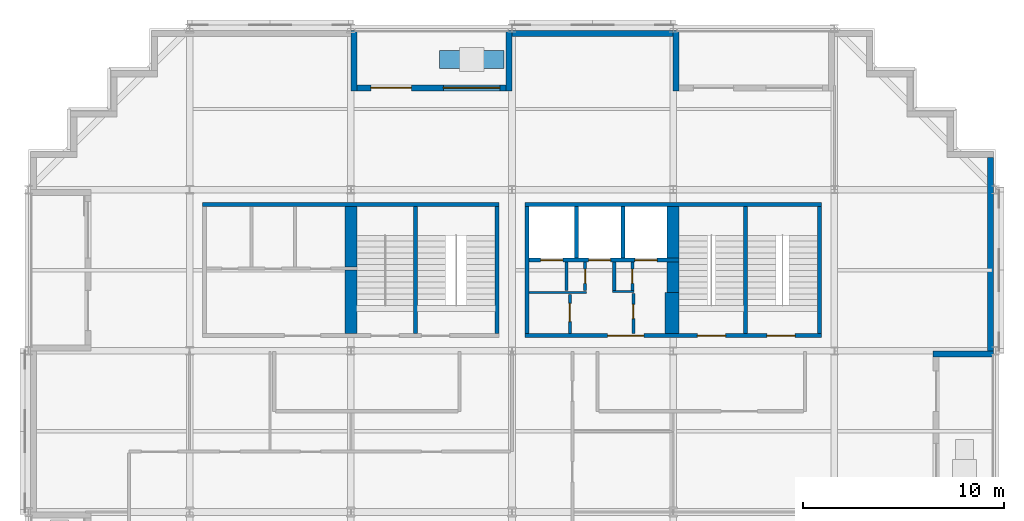
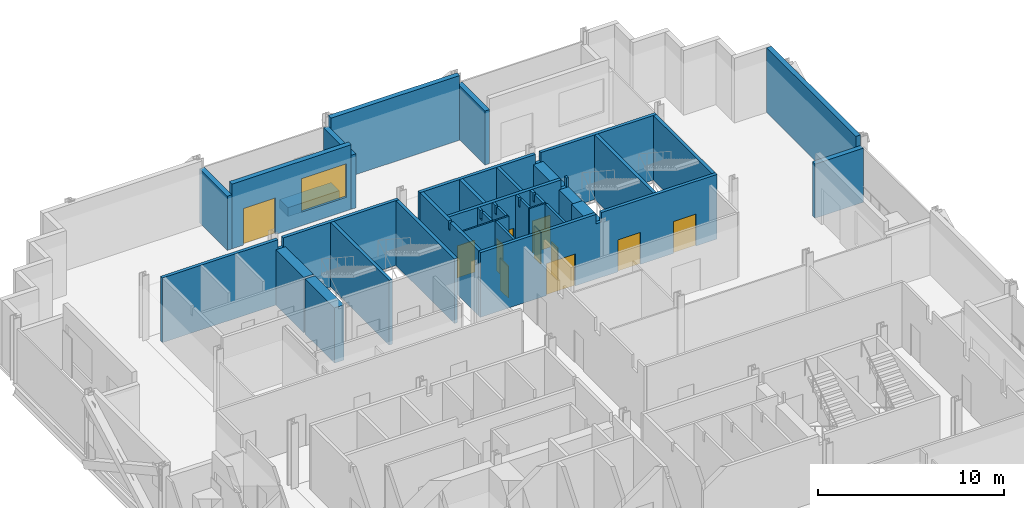
# One storey, part 9 of 14: 32 walls, 11 doors, 1 window, 12 openings.
"""IFC4 building model written with IfcOpenShell, lengths in metres."""

from ifc_helpers import new_model, si_unit, direction, frame, frame_2d, origin, place, context, subcontext, project, spatial, polyline, rectangle, outline, extrude, material, layer, layer_set, type_object, element, fill, save


model = new_model("IFC4")

# Units and contexts
model_context = context("Model", 3, precision=1e-05, world=origin(), true_north=direction((0.0, 1.0)))
body_context = subcontext(model_context, "Body", "Model", "MODEL_VIEW")
ifc_project = project(units=[si_unit("LENGTHUNIT", "METRE"), si_unit("AREAUNIT", "SQUARE_METRE"), si_unit("VOLUMEUNIT", "CUBIC_METRE"), si_unit("PLANEANGLEUNIT", "RADIAN"), si_unit("MASSUNIT", "GRAM", prefix="KILO")], contexts=[model_context])

# Site, building, storey
site_placement = place(None, origin())
site = spatial("IfcSite", under=ifc_project, at=site_placement, CompositionType="ELEMENT")
building_placement = place(site_placement, origin())
building = spatial("IfcBuilding", under=site, at=building_placement, Name="Immortelle Media Tower", CompositionType="ELEMENT")
storey_placement = place(building_placement, frame((0.0, 0.0, 48.0)))
storey = spatial("IfcBuildingStorey", under=building, at=storey_placement, Name="L07", CompositionType="ELEMENT", Elevation=48.0)

# Walls
ifc_material_1 = material(Name="Fire-rated gypsum board", Category="gypsum")
ifc_layer_1 = layer(ifc_material_1, 0.02490234375)
ifc_material_2 = material(Name="Steel ASTM A653 SS Gr 50 stud frame with mineral wool", Category="steel")
ifc_layer_2 = layer(ifc_material_2, 0.050048828125)
ifc_layer_3 = layer(ifc_material_1, 0.02490234375)
ifc_layer_set_1 = layer_set([ifc_layer_1, ifc_layer_2, ifc_layer_3], Name="Steel ASTM A653 SS Gr 50 stud frame with mineral wool")
wall_type_1 = type_object("IfcWallType", Name="Core partition 100", PredefinedType="PARTITIONING", material=ifc_layer_set_1)
wall_1_placement = place(storey_placement, frame((24.85009765625, 34.89990234375, 0.0), z_axis=(0.0, 0.0, 1.0), x_axis=(1.0, 0.0, 0.0)))
element("IfcWall", 1, at=wall_1_placement, inside=storey, type_object=wall_type_1, Name="Core partition NE", PredefinedType="PARTITIONING", context=body_context, shape_type="SweptSolid", body=[
    extrude(rectangle(XDim=2.849853515625, YDim=0.10009765625, at=frame_2d((1.4248046875, 0.0))), origin(), (0.0, 0.0, 1.0), 4.25),
])
wall_2_placement = place(storey_placement, frame((29.0, 34.949951171875, 0.0), z_axis=(0.0, 0.0, 1.0), x_axis=(1.0, 0.0, 0.0)))
element("IfcWall", 2, at=wall_2_placement, inside=storey, type_object=wall_type_1, Name="Core partition NE", PredefinedType="PARTITIONING", context=body_context, shape_type="SweptSolid", body=[
    extrude(rectangle(XDim=1.050048828125, YDim=0.10009765625, at=frame_2d((0.52490234375, 0.0))), origin(), (0.0, 0.0, 1.0), 4.25),
])
ifc_layer_4 = layer(ifc_material_1, 0.02490234375)
ifc_layer_5 = layer(ifc_material_2, 0.10009765625)
ifc_layer_6 = layer(ifc_material_1, 0.02490234375)
ifc_layer_set_2 = layer_set([ifc_layer_4, ifc_layer_5, ifc_layer_6], Name="Steel ASTM A653 SS Gr 50 stud frame with mineral wool")
wall_type_2 = type_object("IfcWallType", Name="Core partition 150", PredefinedType="PARTITIONING", material=ifc_layer_set_2)
wall_3_placement = place(storey_placement, frame((26.699951171875, 35.0, 0.0), z_axis=(0.0, 0.0, 1.0), x_axis=(0.0, 1.0, 0.0)))
element("IfcWall", 3, at=wall_3_placement, inside=storey, type_object=wall_type_2, Name="Core partition NE", PredefinedType="PARTITIONING", context=body_context, shape_type="SweptSolid", body=[
    extrude(outline(polyline([(0.0, 0.0), (1.39990234375, 0.0), (1.39990234375, 4.25), (1.08837890625, 4.25), (1.08740234375, 3.7080078125), (0.91259765625, 3.7080078125), (0.91162109375, 4.25), (0.0, 4.25), (0.0, 0.0)])), frame((0.0, 0.074951171875, 0.0), z_axis=(0.0, -1.0, 0.0), x_axis=(1.0, 0.0, 0.0)), (0.0, 0.0, 1.0), 0.14990234375),
])

# Wall, opening, door
wall_4_placement = place(storey_placement, frame((26.875, 32.85009765625, 0.0), z_axis=(0.0, 0.0, 1.0), x_axis=(0.0, 1.0, 0.0)))
wall_4 = element("IfcWall", 4, at=wall_4_placement, inside=storey, type_object=wall_type_2, Name="Core partition NE", PredefinedType="PARTITIONING", context=body_context, shape_type="SweptSolid", body=[
    extrude(rectangle(XDim=1.949951171875, YDim=0.14990234375, at=frame_2d((0.97509765625, 0.0))), origin(), (0.0, 0.0, 1.0), 4.25),
])
opening_1_placement = place(wall_4_placement, frame((0.60009765625, 0.0, 0.0)))
opening_1 = element("IfcOpeningElement", 5, at=opening_1_placement, cuts=wall_4, Name="Opening N2-K031", PredefinedType="OPENING", context=body_context, shape_type="SweptSolid", body=[
    extrude(rectangle(XDim=0.89990234375, YDim=2.10009765625, at=frame_2d((0.449951171875, 1.050048828125))), frame((0.0, 0.0849609375, 0.0), z_axis=(0.0, -1.0, 0.0), x_axis=(1.0, 0.0, 0.0)), (0.0, 0.0, 1.0), 0.169921875),
])
ifc_material_3 = material(Name="Galvanised steel door leaf and frame ASTM A653", Category="steel")
door_type_1 = type_object("IfcDoorType", Name="Service door 900 x 2100", OperationType="NOTDEFINED", PredefinedType="NOTDEFINED", material=ifc_material_3)
door_1_placement = place(opening_1_placement, origin())
door_1 = element("IfcDoor", 6, at=door_1_placement, inside=storey, type_object=door_type_1, Name="Service N2-K031", OperationType="SINGLE_SWING_RIGHT", OverallHeight=2.10009765625, OverallWidth=0.89990234375, PredefinedType="NOTDEFINED", context=body_context, shape_type="SweptSolid", body=[
    extrude(rectangle(XDim=0.89990234375, YDim=2.10009765625, at=frame_2d((0.449951171875, 1.050048828125))), frame((0.0, 0.02490234375, 0.0), z_axis=(0.0, -1.0, 0.0), x_axis=(1.0, 0.0, 0.0)), (0.0, 0.0, 1.0), 0.050048828125),
])
fill(opening_1, door_1)

wall_5_placement = place(storey_placement, frame((27.625, 35.0, 0.0), z_axis=(0.0, 0.0, 1.0), x_axis=(0.0, 1.0, 0.0)))
wall_5 = element("IfcWall", 7, at=wall_5_placement, inside=storey, type_object=wall_type_2, Name="Core partition NE", PredefinedType="PARTITIONING", context=body_context, shape_type="SweptSolid", body=[
    extrude(outline(polyline([(0.0, 0.0), (1.39990234375, 0.0), (1.39990234375, 4.25), (1.08837890625, 4.25), (1.08740234375, 3.7080078125), (0.91259765625, 3.7080078125), (0.91162109375, 4.25), (0.0, 4.25), (0.0, 0.0)])), frame((0.0, 0.074951171875, 0.0), z_axis=(0.0, -1.0, 0.0), x_axis=(1.0, 0.0, 0.0)), (0.0, 0.0, 1.0), 0.14990234375),
])
opening_2_placement = place(wall_5_placement, frame((0.35009765625, 0.0, 0.0)))
opening_2 = element("IfcOpeningElement", 8, at=opening_2_placement, cuts=wall_5, Name="Opening N2-K032", PredefinedType="OPENING", context=body_context, shape_type="SweptSolid", body=[
    extrude(rectangle(XDim=0.699951171875, YDim=2.10009765625, at=frame_2d((0.35009765625, 1.050048828125))), frame((0.0, 0.0849609375, 0.0), z_axis=(0.0, -1.0, 0.0), x_axis=(1.0, 0.0, 0.0)), (0.0, 0.0, 1.0), 0.169921875),
])
door_type_2 = type_object("IfcDoorType", Name="Service door 700 x 2100", OperationType="NOTDEFINED", PredefinedType="NOTDEFINED", material=ifc_material_3)
door_2_placement = place(opening_2_placement, origin())
door_2 = element("IfcDoor", 9, at=door_2_placement, inside=storey, type_object=door_type_2, Name="Service N2-K032", OperationType="SINGLE_SWING_RIGHT", OverallHeight=2.10009765625, OverallWidth=0.699951171875, PredefinedType="NOTDEFINED", context=body_context, shape_type="SweptSolid", body=[
    extrude(rectangle(XDim=0.699951171875, YDim=2.10009765625, at=frame_2d((0.35009765625, 1.050048828125))), frame((0.0, 0.02490234375, 0.0), z_axis=(0.0, -1.0, 0.0), x_axis=(1.0, 0.0, 0.0)), (0.0, 0.0, 1.0), 0.050048828125),
])
fill(opening_2, door_2)

# Wall
wall_6_placement = place(storey_placement, frame((29.074951171875, 35.0, 0.0), z_axis=(0.0, 0.0, 1.0), x_axis=(0.0, 1.0, 0.0)))
element("IfcWall", 10, at=wall_6_placement, inside=storey, type_object=wall_type_2, Name="Core partition NE", PredefinedType="PARTITIONING", context=body_context, shape_type="SweptSolid", body=[
    extrude(outline(polyline([(0.0, 0.0), (1.39990234375, 0.0), (1.39990234375, 4.25), (1.08837890625, 4.25), (1.08740234375, 3.7080078125), (0.91259765625, 3.7080078125), (0.91162109375, 4.25), (0.0, 4.25), (0.0, 0.0)])), frame((0.0, 0.074951171875, 0.0), z_axis=(0.0, -1.0, 0.0), x_axis=(1.0, 0.0, 0.0)), (0.0, 0.0, 1.0), 0.14990234375),
])

# Wall, opening, door
wall_7_placement = place(storey_placement, frame((29.97509765625, 35.0, 0.0), z_axis=(0.0, 0.0, 1.0), x_axis=(0.0, 1.0, 0.0)))
wall_7 = element("IfcWall", 11, at=wall_7_placement, inside=storey, type_object=wall_type_2, Name="Core partition NE", PredefinedType="PARTITIONING", context=body_context, shape_type="SweptSolid", body=[
    extrude(outline(polyline([(0.0, 0.0), (1.39990234375, 0.0), (1.39990234375, 4.25), (1.08837890625, 4.25), (1.08740234375, 3.7080078125), (0.91259765625, 3.7080078125), (0.91162109375, 4.25), (0.0, 4.25), (0.0, 0.0)])), frame((0.0, 0.074951171875, 0.0), z_axis=(0.0, -1.0, 0.0), x_axis=(1.0, 0.0, 0.0)), (0.0, 0.0, 1.0), 0.14990234375),
])
opening_3_placement = place(wall_7_placement, frame((1.050048828125, 0.0, 0.0), z_axis=(0.0, 0.0, 1.0), x_axis=(-1.0, 0.0, 0.0)))
opening_3 = element("IfcOpeningElement", 12, at=opening_3_placement, cuts=wall_7, Name="Opening N2-K035", PredefinedType="OPENING", context=body_context, shape_type="SweptSolid", body=[
    extrude(rectangle(XDim=0.699951171875, YDim=2.10009765625, at=frame_2d((0.35009765625, 1.050048828125))), frame((0.0, 0.0849609375, 0.0), z_axis=(0.0, -1.0, 0.0), x_axis=(1.0, 0.0, 0.0)), (0.0, 0.0, 1.0), 0.169921875),
])
door_3_placement = place(opening_3_placement, origin())
door_3 = element("IfcDoor", 13, at=door_3_placement, inside=storey, type_object=door_type_2, Name="Service N2-K035", OperationType="SINGLE_SWING_LEFT", OverallHeight=2.10009765625, OverallWidth=0.699951171875, PredefinedType="NOTDEFINED", context=body_context, shape_type="SweptSolid", body=[
    extrude(rectangle(XDim=0.699951171875, YDim=2.10009765625, at=frame_2d((0.35009765625, 1.050048828125))), frame((0.0, 0.02490234375, 0.0), z_axis=(0.0, -1.0, 0.0), x_axis=(1.0, 0.0, 0.0)), (0.0, 0.0, 1.0), 0.050048828125),
])
fill(opening_3, door_3)

wall_8_placement = place(storey_placement, frame((30.02490234375, 32.85009765625, 0.0), z_axis=(0.0, 0.0, 1.0), x_axis=(0.0, 1.0, 0.0)))
wall_8 = element("IfcWall", 14, at=wall_8_placement, inside=storey, type_object=wall_type_2, Name="Core partition NE", PredefinedType="PARTITIONING", context=body_context, shape_type="SweptSolid", body=[
    extrude(rectangle(XDim=2.0, YDim=0.14990234375, at=frame_2d((1.0, 0.0))), origin(), (0.0, 0.0, 1.0), 4.25),
])
opening_4_placement = place(wall_8_placement, frame((1.449951171875, 0.0, 0.0), z_axis=(0.0, 0.0, 1.0), x_axis=(-1.0, 0.0, 0.0)))
opening_4 = element("IfcOpeningElement", 15, at=opening_4_placement, cuts=wall_8, Name="Opening N2-K036", PredefinedType="OPENING", context=body_context, shape_type="SweptSolid", body=[
    extrude(rectangle(XDim=0.699951171875, YDim=2.10009765625, at=frame_2d((0.35009765625, 1.050048828125))), frame((0.0, 0.0849609375, 0.0), z_axis=(0.0, -1.0, 0.0), x_axis=(1.0, 0.0, 0.0)), (0.0, 0.0, 1.0), 0.169921875),
])
door_4_placement = place(opening_4_placement, origin())
door_4 = element("IfcDoor", 16, at=door_4_placement, inside=storey, type_object=door_type_2, Name="Service N2-K036", OperationType="SINGLE_SWING_RIGHT", OverallHeight=2.10009765625, OverallWidth=0.699951171875, PredefinedType="NOTDEFINED", context=body_context, shape_type="SweptSolid", body=[
    extrude(rectangle(XDim=0.699951171875, YDim=2.10009765625, at=frame_2d((0.35009765625, 1.050048828125))), frame((0.0, 0.02490234375, 0.0), z_axis=(0.0, -1.0, 0.0), x_axis=(1.0, 0.0, 0.0)), (0.0, 0.0, 1.0), 0.050048828125),
])
fill(opening_4, door_4)

# Wall
ifc_layer_7 = layer(ifc_material_1, 0.03759765625)
ifc_layer_8 = layer(ifc_material_2, 0.125)
ifc_layer_9 = layer(ifc_material_1, 0.03759765625)
ifc_layer_set_3 = layer_set([ifc_layer_7, ifc_layer_8, ifc_layer_9], Name="Steel ASTM A653 SS Gr 50 stud frame with mineral wool")
wall_type_3 = type_object("IfcWallType", Name="Core shaft wall 200", PredefinedType="PARTITIONING", material=ifc_layer_set_3)
wall_9_placement = place(storey_placement, frame((24.75, 32.85009765625, 0.0), z_axis=(0.0, 0.0, 1.0), x_axis=(0.0, 1.0, 0.0)))
element("IfcWall", 17, at=wall_9_placement, inside=storey, type_object=wall_type_3, Name="Core shaft wall NE", PredefinedType="PARTITIONING", context=body_context, shape_type="SweptSolid", body=[
    extrude(outline(polyline([(0.0, 0.0), (6.2998046875, 0.0), (6.300048828125, 4.25), (3.238525390625, 4.25), (3.237548828125, 3.7080078125), (3.0625, 3.7080078125), (3.0615234375, 4.25), (0.0, 4.25), (0.0, 0.0)])), frame((0.0, 0.10009765625, 0.0), z_axis=(0.0, -1.0, 0.0), x_axis=(1.0, 0.0, 0.0)), (0.0, 0.0, 1.0), 0.199951171875),
])

# Wall, openings, doors
wall_10_placement = place(storey_placement, frame((24.85009765625, 36.5, 0.0), z_axis=(0.0, 0.0, 1.0), x_axis=(1.0, 0.0, 0.0)))
wall_10 = element("IfcWall", 18, at=wall_10_placement, inside=storey, type_object=wall_type_3, Name="Core shaft wall NE", PredefinedType="PARTITIONING", context=body_context, shape_type="SweptSolid", body=[
    extrude(outline(polyline([(0.0, 0.0), (7.449951171875, 0.0), (7.449951171875, 4.25), (7.31689453125, 4.25), (7.31591796875, 3.632080078125), (6.98388671875, 3.632080078125), (6.98291015625, 4.25), (0.0, 4.25), (0.0, 0.0)])), frame((0.0, 0.10009765625, 0.0), z_axis=(0.0, -1.0, 0.0), x_axis=(1.0, 0.0, 0.0)), (0.0, 0.0, 1.0), 0.199951171875),
])
opening_5_placement = place(wall_10_placement, frame((0.574951171875, 0.0, 0.0)))
opening_5 = element("IfcOpeningElement", 19, at=opening_5_placement, cuts=wall_10, Name="Opening LD", PredefinedType="OPENING", context=body_context, shape_type="SweptSolid", body=[
    extrude(rectangle(XDim=1.10009765625, YDim=2.10009765625, at=frame_2d((0.550048828125, 1.050048828125))), frame((0.0, 0.10986328125, 0.0), z_axis=(0.0, -1.0, 0.0), x_axis=(1.0, 0.0, 0.0)), (0.0, 0.0, 1.0), 0.219970703125),
])
opening_6_placement = place(wall_10_placement, frame((2.949951171875, 0.0, 0.0)))
opening_6 = element("IfcOpeningElement", 20, at=opening_6_placement, cuts=wall_10, Name="Opening LD", PredefinedType="OPENING", context=body_context, shape_type="SweptSolid", body=[
    extrude(rectangle(XDim=1.10009765625, YDim=2.10009765625, at=frame_2d((0.550048828125, 1.050048828125))), frame((0.0, 0.10986328125, 0.0), z_axis=(0.0, -1.0, 0.0), x_axis=(1.0, 0.0, 0.0)), (0.0, 0.0, 1.0), 0.219970703125),
])
opening_7_placement = place(wall_10_placement, frame((5.25, 0.0, 0.0)))
opening_7 = element("IfcOpeningElement", 21, at=opening_7_placement, cuts=wall_10, Name="Opening LD", PredefinedType="OPENING", context=body_context, shape_type="SweptSolid", body=[
    extrude(rectangle(XDim=1.10009765625, YDim=2.10009765625, at=frame_2d((0.550048828125, 1.050048828125))), frame((0.0, 0.10986328125, 0.0), z_axis=(0.0, -1.0, 0.0), x_axis=(1.0, 0.0, 0.0)), (0.0, 0.0, 1.0), 0.219970703125),
])
ifc_material_4 = material(Name="Stainless steel AISI 304", Category="steel")
door_type_3 = type_object("IfcDoorType", Name="Landing door 1100 x 2100", OperationType="SLIDING_TO_LEFT", PredefinedType="NOTDEFINED", material=ifc_material_4)
door_5_placement = place(opening_5_placement, origin())
door_5 = element("IfcDoor", 22, at=door_5_placement, inside=storey, type_object=door_type_3, Name="Landing door LR1 L07", OperationType="SLIDING_TO_LEFT", OverallHeight=2.10009765625, OverallWidth=1.10009765625, PredefinedType="NOTDEFINED", context=body_context, shape_type="SweptSolid", body=[
    extrude(rectangle(XDim=1.10009765625, YDim=2.10009765625, at=frame_2d((0.550048828125, 1.050048828125))), frame((0.0, 0.02490234375, 0.0), z_axis=(0.0, -1.0, 0.0), x_axis=(1.0, 0.0, 0.0)), (0.0, 0.0, 1.0), 0.050048828125),
])
fill(opening_5, door_5)
door_6_placement = place(opening_6_placement, origin())
door_6 = element("IfcDoor", 23, at=door_6_placement, inside=storey, type_object=door_type_3, Name="Landing door LR2 L07", OperationType="SLIDING_TO_LEFT", OverallHeight=2.10009765625, OverallWidth=1.10009765625, PredefinedType="NOTDEFINED", context=body_context, shape_type="SweptSolid", body=[
    extrude(rectangle(XDim=1.10009765625, YDim=2.10009765625, at=frame_2d((0.550048828125, 1.050048828125))), frame((0.0, 0.02490234375, 0.0), z_axis=(0.0, -1.0, 0.0), x_axis=(1.0, 0.0, 0.0)), (0.0, 0.0, 1.0), 0.050048828125),
])
fill(opening_6, door_6)
door_7_placement = place(opening_7_placement, origin())
door_7 = element("IfcDoor", 24, at=door_7_placement, inside=storey, type_object=door_type_3, Name="Landing door LR3 L07", OperationType="SLIDING_TO_LEFT", OverallHeight=2.10009765625, OverallWidth=1.10009765625, PredefinedType="NOTDEFINED", context=body_context, shape_type="SweptSolid", body=[
    extrude(rectangle(XDim=1.10009765625, YDim=2.10009765625, at=frame_2d((0.550048828125, 1.050048828125))), frame((0.0, 0.02490234375, 0.0), z_axis=(0.0, -1.0, 0.0), x_axis=(1.0, 0.0, 0.0)), (0.0, 0.0, 1.0), 0.050048828125),
])
fill(opening_7, door_7)

# Walls
for number, where, z_axis, x_axis, name in (
    (25, (27.199951171875, 36.60009765625, 0.0), (0.0, 0.0, 1.0), (0.0, 1.0, 0.0), "Core shaft wall NE"),
    (26, (29.5, 36.60009765625, 0.0), (0.0, 0.0, 1.0), (0.0, 1.0, 0.0), "Core shaft wall NE"),
):
    element("IfcWall", number, at=place(storey_placement, frame(where, z_axis=z_axis, x_axis=x_axis)), inside=storey, type_object=wall_type_3, Name=name, PredefinedType="PARTITIONING", context=body_context, shape_type="SweptSolid", body=[
        extrude(rectangle(XDim=2.5498046875, YDim=0.199951171875, at=frame_2d((1.27490234375, 0.0))), origin(), (0.0, 0.0, 1.0), 4.25),
    ])
ifc_material_5 = material(Name="Pale aluminium cladding panel", Category="aluminium")
ifc_layer_10 = layer(ifc_material_5, 0.030029296875)
ifc_layer_11 = layer(ifc_material_2, 0.257568359375)
ifc_material_6 = material(Name="Moisture-resistant gypsum board", Category="gypsum")
ifc_layer_12 = layer(ifc_material_6, 0.012451171875)
ifc_layer_set_4 = layer_set([ifc_layer_10, ifc_layer_11, ifc_layer_12], Name="Steel ASTM A653 SS Gr 50 stud frame with mineral wool")
wall_type_4 = type_object("IfcWallType", Name="Facade wall 300", PredefinedType="SOLIDWALL", material=ifc_layer_set_4)
wall_11_placement = place(storey_placement, frame((47.89990234375, 31.85009765625, 0.0), z_axis=(0.0, 0.0, 1.0), x_axis=(-1.0, 0.0, 0.0)))
element("IfcWall", 27, at=wall_11_placement, inside=storey, type_object=wall_type_4, Name="Loggia cheek wall L07 E", PredefinedType="SOLIDWALL", context=body_context, shape_type="SweptSolid", body=[
    extrude(rectangle(XDim=3.0, YDim=0.300048828125, at=frame_2d((1.5, 0.0))), origin(), (0.0, 0.0, 1.0), 3.552978515625),
])
wall_12_placement = place(storey_placement, frame((47.75, 32.0, 0.0), z_axis=(0.0, 0.0, 1.0), x_axis=(0.0, 1.0, 0.0)))
element("IfcWall", 28, at=wall_12_placement, inside=storey, type_object=wall_type_4, Name="Facade wall L07 E14", PredefinedType="SOLIDWALL", context=body_context, shape_type="SweptSolid", body=[
    extrude(rectangle(XDim=9.60009765625, YDim=0.300048828125, at=frame_2d((4.800048828125, 0.0))), origin(), (0.0, 0.0, 1.0), 4.25),
])
wall_13_placement = place(storey_placement, frame((32.14990234375, 47.89990234375, 0.0), z_axis=(0.0, 0.0, 1.0), x_axis=(0.0, -1.0, 0.0)))
element("IfcWall", 29, at=wall_13_placement, inside=storey, type_object=wall_type_4, Name="Loggia cheek wall L07 N", PredefinedType="SOLIDWALL", context=body_context, shape_type="SweptSolid", body=[
    extrude(rectangle(XDim=3.0, YDim=0.300048828125, at=frame_2d((1.5, 0.0))), origin(), (0.0, 0.0, 1.0), 3.552978515625),
])
wall_14_placement = place(storey_placement, frame((32.0, 47.75, 0.0), z_axis=(0.0, 0.0, 1.0), x_axis=(-1.0, 0.0, 0.0)))
element("IfcWall", 30, at=wall_14_placement, inside=storey, type_object=wall_type_4, Name="Facade wall L07 N21", PredefinedType="SOLIDWALL", context=body_context, shape_type="SweptSolid", body=[
    extrude(rectangle(XDim=8.0, YDim=0.300048828125, at=frame_2d((4.0, 0.0))), origin(), (0.0, 0.0, 1.0), 4.25),
])

# Wall, openings, door, window
wall_15_placement = place(storey_placement, frame((23.699951171875, 45.050048828125, 0.0), z_axis=(0.0, 0.0, 1.0), x_axis=(-1.0, 0.0, 0.0)))
wall_15 = element("IfcWall", 31, at=wall_15_placement, inside=storey, type_object=wall_type_4, Name="Loggia wall L07 N21", PredefinedType="SOLIDWALL", context=body_context, shape_type="SweptSolid", body=[
    extrude(rectangle(XDim=7.39990234375, YDim=0.300048828125, at=frame_2d((3.699951171875, 0.0))), origin(), (0.0, 0.0, 1.0), 4.25),
])
opening_8_placement = place(wall_15_placement, frame((0.300048828125, 0.0, 0.89990234375)))
opening_8 = element("IfcOpeningElement", 32, at=opening_8_placement, cuts=wall_15, Name="Opening W1", PredefinedType="OPENING", context=body_context, shape_type="SweptSolid", body=[
    extrude(rectangle(XDim=2.800048828125, YDim=2.199951171875, at=frame_2d((1.39990234375, 1.10009765625))), frame((0.0, 0.159912109375, 0.0), z_axis=(0.0, -1.0, 0.0), x_axis=(1.0, 0.0, 0.0)), (0.0, 0.0, 1.0), 0.320068359375),
])
opening_9_placement = place(wall_15_placement, frame((4.699951171875, 0.0, 0.0)))
opening_9 = element("IfcOpeningElement", 33, at=opening_9_placement, cuts=wall_15, Name="Opening N2-E008", PredefinedType="OPENING", context=body_context, shape_type="SweptSolid", body=[
    extrude(rectangle(XDim=2.0, YDim=2.39990234375, at=frame_2d((1.0, 1.199951171875))), frame((0.0, 0.159912109375, 0.0), z_axis=(0.0, -1.0, 0.0), x_axis=(1.0, 0.0, 0.0)), (0.0, 0.0, 1.0), 0.320068359375),
])
ifc_material_7 = material(Name="Aluminium frame, glazed leaves", Category="aluminium")
door_type_4 = type_object("IfcDoorType", Name="Loggia door 2000 x 2400", OperationType="DOUBLE_DOOR_SINGLE_SWING", PredefinedType="DOOR", material=ifc_material_7)
door_8_placement = place(opening_9_placement, origin())
door_8 = element("IfcDoor", 34, at=door_8_placement, inside=storey, type_object=door_type_4, Name="Door N2-E008", OperationType="DOUBLE_DOOR_SINGLE_SWING", OverallHeight=2.39990234375, OverallWidth=2.0, PredefinedType="DOOR", context=body_context, shape_type="SweptSolid", body=[
    extrude(rectangle(XDim=2.0, YDim=2.39990234375, at=frame_2d((1.0, 1.199951171875))), frame((0.0, 0.02490234375, 0.0), z_axis=(0.0, -1.0, 0.0), x_axis=(1.0, 0.0, 0.0)), (0.0, 0.0, 1.0), 0.050048828125),
])
fill(opening_9, door_8)
ifc_material_8 = material(Name="Aluminium frame", Category="aluminium")
window_type = type_object("IfcWindowType", Name="Window 2800 x 2200", PartitioningType="SINGLE_PANEL", PredefinedType="WINDOW", material=ifc_material_8)
window_placement = place(opening_8_placement, origin())
window = element("IfcWindow", 35, at=window_placement, inside=storey, type_object=window_type, Name="Window L07 L07-R21-B2", OverallHeight=2.199951171875, OverallWidth=2.800048828125, PartitioningType="SINGLE_PANEL", PredefinedType="WINDOW", context=body_context, shape_type="SweptSolid", body=[
    extrude(rectangle(XDim=2.800048828125, YDim=2.199951171875, at=frame_2d((1.39990234375, 1.10009765625))), frame((0.0, 0.030029296875, 0.0), z_axis=(0.0, -1.0, 0.0), x_axis=(1.0, 0.0, 0.0)), (0.0, 0.0, 1.0), 0.06005859375),
])
fill(opening_8, window)

# Walls
for number, where, z_axis, x_axis, name in (
    (36, (23.85009765625, 47.89990234375, 0.0), (0.0, 0.0, 1.0), (0.0, -1.0, 0.0), "Loggia cheek wall L07 N"),
    (37, (16.14990234375, 47.89990234375, 0.0), (0.0, 0.0, 1.0), (0.0, -1.0, 0.0), "Loggia cheek wall L07 N"),
):
    element("IfcWall", number, at=place(storey_placement, frame(where, z_axis=z_axis, x_axis=x_axis)), inside=storey, type_object=wall_type_4, Name=name, PredefinedType="SOLIDWALL", context=body_context, shape_type="SweptSolid", body=[
        extrude(rectangle(XDim=3.0, YDim=0.300048828125, at=frame_2d((1.5, 0.0))), origin(), (0.0, 0.0, 1.0), 3.552978515625),
    ])
ifc_layer_13 = layer(ifc_material_5, 0.0029296875)
ifc_material_9 = material(Name="Steel ASTM A572 Gr 50 planter shell", Category="steel")
ifc_layer_14 = layer(ifc_material_9, 0.011962890625)
ifc_material_10 = material(Name="Planting substrate", Category="soil")
ifc_layer_15 = layer(ifc_material_10, 0.873046875)
ifc_layer_16 = layer(ifc_material_9, 0.011962890625)
ifc_layer_set_5 = layer_set([ifc_layer_13, ifc_layer_14, ifc_layer_15, ifc_layer_16], Name="Steel ASTM A572 Gr 50 planter shell")
wall_type_5 = type_object("IfcWallType", Name="Planter wall 900", PredefinedType="SOLIDWALL", material=ifc_layer_set_5)
wall_16_placement = place(storey_placement, frame((23.60009765625, 46.449951171875, 0.0), z_axis=(0.0, 0.0, 1.0), x_axis=(-1.0, 0.0, 0.0)))
element("IfcWall", 38, at=wall_16_placement, inside=storey, type_object=wall_type_5, Name="Planter L07 N2", PredefinedType="SOLIDWALL", context=body_context, shape_type="SweptSolid", body=[
    extrude(rectangle(XDim=3.2001953125, YDim=0.89990234375, at=frame_2d((1.60009765625, 0.0))), origin(), (0.0, 0.0, 1.0), 0.60009765625),
])
ifc_material_11 = material(Name="Concrete C60", Category="concrete")
ifc_layer_17 = layer(ifc_material_11, 0.199951171875)
ifc_layer_set_6 = layer_set([ifc_layer_17], Name="Concrete C60")
wall_type_6 = type_object("IfcWallType", Name="Stair shaft wall 200", PredefinedType="PARTITIONING", material=ifc_layer_set_6)
wall_17_placement = place(storey_placement, frame((8.64990234375, 39.25, 0.0), z_axis=(0.0, 0.0, 1.0), x_axis=(1.0, 0.0, 0.0)))
element("IfcWall", 39, at=wall_17_placement, inside=storey, type_object=wall_type_6, Name="Stair shaft wall NW", PredefinedType="PARTITIONING", context=body_context, shape_type="SweptSolid", body=[
    extrude(outline(polyline([(0.0, 0.0), (14.7001953125, 0.0), (14.699951171875, 4.25), (7.51708984375, 4.25), (7.51611328125, 3.632080078125), (7.18408203125, 3.632080078125), (7.18310546875, 4.25), (0.0, 4.25), (0.0, 0.0)])), frame((0.0, 0.10009765625, 0.0), z_axis=(0.0, -1.0, 0.0), x_axis=(1.0, 0.0, 0.0)), (0.0, 0.0, 1.0), 0.199951171875),
])
for number, where, z_axis, x_axis, name in (
    (40, (19.199951171875, 32.85009765625, 0.0), (0.0, 0.0, 1.0), (0.0, 1.0, 0.0), "Stair shaft wall NW"),
    (41, (23.25, 32.85009765625, 0.0), (0.0, 0.0, 1.0), (0.0, 1.0, 0.0), "Stair shaft wall NW"),
):
    element("IfcWall", number, at=place(storey_placement, frame(where, z_axis=z_axis, x_axis=x_axis)), inside=storey, type_object=wall_type_6, Name=name, PredefinedType="PARTITIONING", context=body_context, shape_type="SweptSolid", body=[
        extrude(rectangle(XDim=6.2998046875, YDim=0.199951171875, at=frame_2d((3.14990234375, 0.0))), origin(), (0.0, 0.0, 1.0), 4.25),
    ])

# Wall, openings, doors
wall_18_placement = place(storey_placement, frame((24.64990234375, 32.75, 0.0), z_axis=(0.0, 0.0, 1.0), x_axis=(1.0, 0.0, 0.0)))
wall_18 = element("IfcWall", 42, at=wall_18_placement, inside=storey, type_object=wall_type_6, Name="Stair shaft wall NE", PredefinedType="PARTITIONING", context=body_context, shape_type="SweptSolid", body=[
    extrude(outline(polyline([(0.0, 0.0), (14.7001953125, 0.0), (14.699951171875, 4.25), (7.51708984375, 4.25), (7.51611328125, 3.632080078125), (7.18408203125, 3.632080078125), (7.18310546875, 4.25), (0.0, 4.25), (0.0, 0.0)])), frame((0.0, 0.10009765625, 0.0), z_axis=(0.0, -1.0, 0.0), x_axis=(1.0, 0.0, 0.0)), (0.0, 0.0, 1.0), 0.199951171875),
])
opening_10_placement = place(wall_18_placement, frame((4.10009765625, 0.0, 0.0)))
opening_10 = element("IfcOpeningElement", 43, at=opening_10_placement, cuts=wall_18, Name="Opening N2-K034", PredefinedType="OPENING", context=body_context, shape_type="SweptSolid", body=[
    extrude(rectangle(XDim=1.800048828125, YDim=2.10009765625, at=frame_2d((0.89990234375, 1.050048828125))), frame((0.0, 0.10986328125, 0.0), z_axis=(0.0, -1.0, 0.0), x_axis=(1.0, 0.0, 0.0)), (0.0, 0.0, 1.0), 0.219970703125),
])
opening_11_placement = place(wall_18_placement, frame((8.550048828125, 0.0, 0.0)))
opening_11 = element("IfcOpeningElement", 44, at=opening_11_placement, cuts=wall_18, Name="Opening N2-K038", PredefinedType="OPENING", context=body_context, shape_type="SweptSolid", body=[
    extrude(rectangle(XDim=1.39990234375, YDim=2.10009765625, at=frame_2d((0.699951171875, 1.050048828125))), frame((0.0, 0.10986328125, 0.0), z_axis=(0.0, -1.0, 0.0), x_axis=(1.0, 0.0, 0.0)), (0.0, 0.0, 1.0), 0.219970703125),
])
opening_12_placement = place(wall_18_placement, frame((12.0, 0.0, 0.0)))
opening_12 = element("IfcOpeningElement", 45, at=opening_12_placement, cuts=wall_18, Name="Opening N2-K039", PredefinedType="OPENING", context=body_context, shape_type="SweptSolid", body=[
    extrude(rectangle(XDim=1.39990234375, YDim=2.10009765625, at=frame_2d((0.699951171875, 1.050048828125))), frame((0.0, 0.10986328125, 0.0), z_axis=(0.0, -1.0, 0.0), x_axis=(1.0, 0.0, 0.0)), (0.0, 0.0, 1.0), 0.219970703125),
])
door_type_5 = type_object("IfcDoorType", Name="Lift lobby door 1800 x 2100", OperationType="DOUBLE_DOOR_SINGLE_SWING", PredefinedType="NOTDEFINED", material=ifc_material_3)
door_9_placement = place(opening_10_placement, origin())
door_9 = element("IfcDoor", 46, at=door_9_placement, inside=storey, type_object=door_type_5, Name="Lift lobby N2-K034", OperationType="DOUBLE_DOOR_SINGLE_SWING", OverallHeight=2.10009765625, OverallWidth=1.800048828125, PredefinedType="NOTDEFINED", context=body_context, shape_type="SweptSolid", body=[
    extrude(rectangle(XDim=1.800048828125, YDim=2.10009765625, at=frame_2d((0.89990234375, 1.050048828125))), frame((0.0, 0.02490234375, 0.0), z_axis=(0.0, -1.0, 0.0), x_axis=(1.0, 0.0, 0.0)), (0.0, 0.0, 1.0), 0.050048828125),
])
fill(opening_10, door_9)
door_type_6 = type_object("IfcDoorType", Name="Stair door 1400 x 2100", OperationType="DOUBLE_DOOR_SINGLE_SWING", PredefinedType="NOTDEFINED", material=ifc_material_3)
door_10_placement = place(opening_11_placement, origin())
door_10 = element("IfcDoor", 47, at=door_10_placement, inside=storey, type_object=door_type_6, Name="Stair N2-K038", OperationType="DOUBLE_DOOR_SINGLE_SWING", OverallHeight=2.10009765625, OverallWidth=1.39990234375, PredefinedType="NOTDEFINED", context=body_context, shape_type="SweptSolid", body=[
    extrude(rectangle(XDim=1.39990234375, YDim=2.10009765625, at=frame_2d((0.699951171875, 1.050048828125))), frame((0.0, 0.02490234375, 0.0), z_axis=(0.0, -1.0, 0.0), x_axis=(1.0, 0.0, 0.0)), (0.0, 0.0, 1.0), 0.050048828125),
])
fill(opening_11, door_10)
door_11_placement = place(opening_12_placement, origin())
door_11 = element("IfcDoor", 48, at=door_11_placement, inside=storey, type_object=door_type_6, Name="Stair N2-K039", OperationType="DOUBLE_DOOR_SINGLE_SWING", OverallHeight=2.10009765625, OverallWidth=1.39990234375, PredefinedType="NOTDEFINED", context=body_context, shape_type="SweptSolid", body=[
    extrude(rectangle(XDim=1.39990234375, YDim=2.10009765625, at=frame_2d((0.699951171875, 1.050048828125))), frame((0.0, 0.02490234375, 0.0), z_axis=(0.0, -1.0, 0.0), x_axis=(1.0, 0.0, 0.0)), (0.0, 0.0, 1.0), 0.050048828125),
])
fill(opening_12, door_11)

# Walls
wall_19_placement = place(storey_placement, frame((24.64990234375, 39.25, 0.0), z_axis=(0.0, 0.0, 1.0), x_axis=(1.0, 0.0, 0.0)))
element("IfcWall", 49, at=wall_19_placement, inside=storey, type_object=wall_type_6, Name="Stair shaft wall NE", PredefinedType="PARTITIONING", context=body_context, shape_type="SweptSolid", body=[
    extrude(outline(polyline([(0.0, 0.0), (14.7001953125, 0.0), (14.699951171875, 4.25), (7.51708984375, 4.25), (7.51611328125, 3.632080078125), (7.18408203125, 3.632080078125), (7.18310546875, 4.25), (0.0, 4.25), (0.0, 0.0)])), frame((0.0, 0.10009765625, 0.0), z_axis=(0.0, -1.0, 0.0), x_axis=(1.0, 0.0, 0.0)), (0.0, 0.0, 1.0), 0.199951171875),
])
for number, where, z_axis, x_axis, name in (
    (50, (35.60009765625, 32.85009765625, 0.0), (0.0, 0.0, 1.0), (0.0, 1.0, 0.0), "Stair shaft wall NE"),
    (51, (39.25, 32.85009765625, 0.0), (0.0, 0.0, 1.0), (0.0, 1.0, 0.0), "Stair shaft wall NE"),
):
    element("IfcWall", number, at=place(storey_placement, frame(where, z_axis=z_axis, x_axis=x_axis)), inside=storey, type_object=wall_type_6, Name=name, PredefinedType="PARTITIONING", context=body_context, shape_type="SweptSolid", body=[
        extrude(rectangle(XDim=6.2998046875, YDim=0.199951171875, at=frame_2d((3.14990234375, 0.0))), origin(), (0.0, 0.0, 1.0), 4.25),
    ])
ifc_layer_18 = layer(ifc_material_11, 0.60009765625)
ifc_layer_set_7 = layer_set([ifc_layer_18], Name="Concrete C60")
wall_type_7 = type_object("IfcWallType", Name="Stair shaft wall 600", PredefinedType="PARTITIONING", material=ifc_layer_set_7)
wall_20_placement = place(storey_placement, frame((16.0, 32.85009765625, 0.0), z_axis=(0.0, 0.0, 1.0), x_axis=(0.0, 1.0, 0.0)))
element("IfcWall", 52, at=wall_20_placement, inside=storey, type_object=wall_type_7, Name="Stair shaft wall NW", PredefinedType="PARTITIONING", context=body_context, shape_type="SweptSolid", body=[
    extrude(rectangle(XDim=3.14990234375, YDim=0.60009765625, at=frame_2d((1.574951171875, 0.0))), origin(), (0.0, 0.0, 1.0), 3.632080078125),
])
wall_21_placement = place(storey_placement, frame((16.0, 36.14990234375, 0.0), z_axis=(0.0, 0.0, 1.0), x_axis=(0.0, 1.0, 0.0)))
element("IfcWall", 53, at=wall_21_placement, inside=storey, type_object=wall_type_7, Name="Stair shaft wall NW", PredefinedType="PARTITIONING", context=body_context, shape_type="SweptSolid", body=[
    extrude(rectangle(XDim=3.0, YDim=0.60009765625, at=frame_2d((1.5, 0.0))), origin(), (0.0, 0.0, 1.0), 3.632080078125),
])
wall_22_placement = place(storey_placement, frame((32.0, 34.89990234375, 0.0), z_axis=(0.0, 0.0, 1.0), x_axis=(0.0, 1.0, 0.0)))
element("IfcWall", 54, at=wall_22_placement, inside=storey, type_object=wall_type_7, Name="Stair shaft wall NE", PredefinedType="PARTITIONING", context=body_context, shape_type="SweptSolid", body=[
    extrude(rectangle(XDim=1.5, YDim=0.60009765625, at=frame_2d((0.75, 0.0))), origin(), (0.0, 0.0, 1.0), 3.632080078125),
])
wall_23_placement = place(storey_placement, frame((32.0, 36.60009765625, 0.0), z_axis=(0.0, 0.0, 1.0), x_axis=(0.0, 1.0, 0.0)))
element("IfcWall", 55, at=wall_23_placement, inside=storey, type_object=wall_type_7, Name="Stair shaft wall NE", PredefinedType="PARTITIONING", context=body_context, shape_type="SweptSolid", body=[
    extrude(rectangle(XDim=2.5498046875, YDim=0.60009765625, at=frame_2d((1.27490234375, 0.0))), origin(), (0.0, 0.0, 1.0), 3.632080078125),
])
ifc_layer_19 = layer(ifc_material_11, 0.699951171875)
ifc_layer_set_8 = layer_set([ifc_layer_19], Name="Concrete C60")
wall_type_8 = type_object("IfcWallType", Name="Stair shaft wall 700", PredefinedType="PARTITIONING", material=ifc_layer_set_8)
wall_24_placement = place(storey_placement, frame((31.949951171875, 32.85009765625, 0.0), z_axis=(0.0, 0.0, 1.0), x_axis=(0.0, 1.0, 0.0)))
element("IfcWall", 56, at=wall_24_placement, inside=storey, type_object=wall_type_8, Name="Stair shaft wall NE", PredefinedType="PARTITIONING", context=body_context, shape_type="SweptSolid", body=[
    extrude(rectangle(XDim=2.0498046875, YDim=0.699951171875, at=frame_2d((1.02490234375, 0.0))), origin(), (0.0, 0.0, 1.0), 3.632080078125),
])

save(model, "model.ifc")
